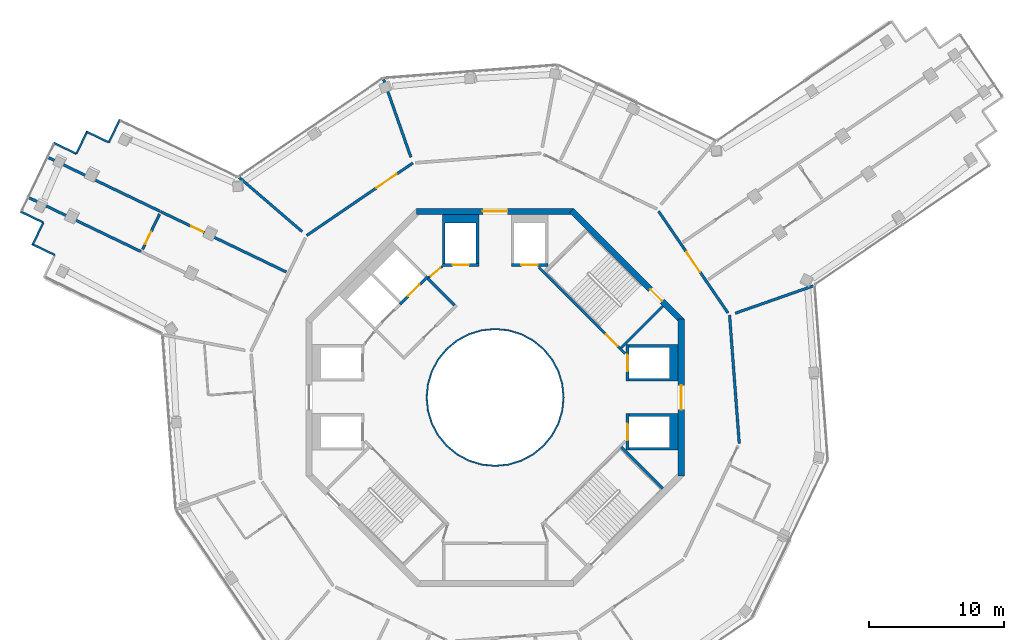
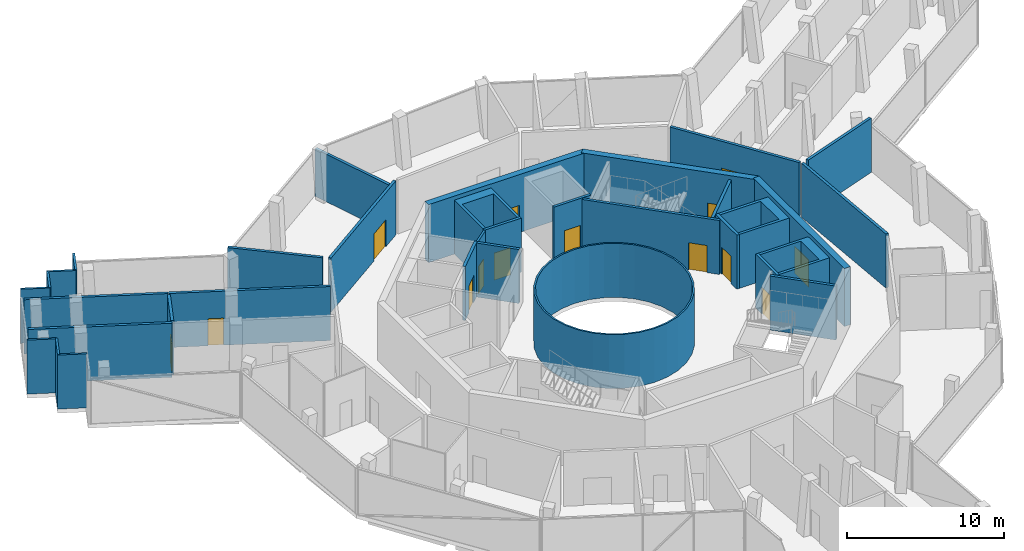
# One storey, part 15 of 19: 34 walls, 14 doors, 14 openings.
"""IFC4 building model written with IfcOpenShell, lengths in metres."""

from ifc_helpers import new_model, si_unit, direction, frame, frame_2d, origin, place, context, subcontext, project, spatial, polyline, rectangle, outline, extrude, material, layer, layer_set, type_object, element, fill, save


model = new_model("IFC4")

# Units and contexts
model_context = context("Model", 3, precision=1e-05, world=origin(), true_north=direction((0.0, 1.0)))
body_context = subcontext(model_context, "Body", "Model", "MODEL_VIEW")
ifc_project = project(units=[si_unit("LENGTHUNIT", "METRE"), si_unit("AREAUNIT", "SQUARE_METRE"), si_unit("VOLUMEUNIT", "CUBIC_METRE"), si_unit("PLANEANGLEUNIT", "RADIAN"), si_unit("MASSUNIT", "GRAM", prefix="KILO")], contexts=[model_context])

# Site, building, storey
site_placement = place(None, origin())
site = spatial("IfcSite", under=ifc_project, at=site_placement, CompositionType="ELEMENT")
building_placement = place(site_placement, origin())
building = spatial("IfcBuilding", under=site, at=building_placement, Name="Verdalira Terraces Hotel", CompositionType="ELEMENT")
storey_placement = place(building_placement, frame((0.0, 0.0, 295.0)))
storey = spatial("IfcBuildingStorey", under=building, at=storey_placement, Name="L73", CompositionType="ELEMENT", Elevation=295.0)

# Walls
ifc_material_1 = material(Name="Fire-resisting glass EI 180", Category="glass")
ifc_layer_1 = layer(ifc_material_1, 0.1201171875)
ifc_layer_set_1 = layer_set([ifc_layer_1], Name="Atrium fire screen 120 mm")
wall_type_1 = type_object("IfcWallType", Name="Atrium fire screen 120 mm", PredefinedType="SOLIDWALL", material=ifc_layer_set_1)
wall_1_placement = place(storey_placement, origin())
element("IfcWall", 1, at=wall_1_placement, inside=storey, type_object=wall_type_1, Name="Atrium fire screen", PredefinedType="SOLIDWALL", context=body_context, shape_type="SweptSolid", body=[
    extrude(outline(polyline([(5.021484, -0.998779), (4.730225, -1.959229), (4.25708, -2.844482), (3.620361, -3.620361), (2.844482, -4.25708), (1.959229, -4.730225), (0.998779, -5.021484), (0.0, -5.120117), (-0.998779, -5.021484), (-1.959229, -4.730225), (-2.844482, -4.25708), (-3.620361, -3.620361), (-4.25708, -2.844482), (-4.730225, -1.959229), (-5.021484, -0.998779), (-5.120117, 0.0), (-5.021484, 0.998779), (-4.730225, 1.959229), (-4.25708, 2.844482), (-3.620361, 3.620361), (-2.844482, 4.25708), (-1.959229, 4.730225), (-0.998779, 5.021484), (0.0, 5.120117), (0.998779, 5.021484), (1.959229, 4.730225), (2.844482, 4.25708), (3.620361, 3.620361), (4.25708, 2.844482), (4.730225, 1.959229), (5.021484, 0.998779), (5.120117, 0.0), (5.021484, -0.998779)]), holes=[polyline([(4.903809, 0.975586), (4.619385, 1.91333), (4.157227, 2.777832), (3.5354, 3.5354), (2.777832, 4.157227), (1.91333, 4.619385), (0.975586, 4.903809), (0.0, 5.0), (-0.975586, 4.903809), (-1.91333, 4.619385), (-2.777832, 4.157227), (-3.5354, 3.5354), (-4.157227, 2.777832), (-4.619385, 1.91333), (-4.903809, 0.975586), (-5.0, 0.0), (-4.903809, -0.975586), (-4.619385, -1.91333), (-4.157227, -2.777832), (-3.5354, -3.5354), (-2.777832, -4.157227), (-1.91333, -4.619385), (-0.975586, -4.903809), (0.0, -5.0), (0.975586, -4.903809), (1.91333, -4.619385), (2.777832, -4.157227), (3.5354, -3.5354), (4.157227, -2.777832), (4.619385, -1.91333), (4.903809, -0.975586), (5.0, 0.0), (4.903809, 0.975586)])]), origin(), (0.0, 0.0, 1.0), 4.189941),
])
ifc_material_2 = material(Name="Concrete C50", Category="concrete")
ifc_layer_2 = layer(ifc_material_2, 0.199951171875)
ifc_layer_set_2 = layer_set([ifc_layer_2], Name="Core RC wall 200 C50")
wall_type_2 = type_object("IfcWallType", Name="Core RC wall 200 C50", PredefinedType="SOLIDWALL", material=ifc_layer_set_2)
wall_2_placement = place(storey_placement, origin())
element("IfcWall", 2, at=wall_2_placement, inside=storey, type_object=wall_type_2, Name="L73 shaft wall E1", PredefinedType="SOLIDWALL", context=body_context, shape_type="SweptSolid", body=[
    extrude(outline(polyline([(13.550049, -3.899902), (9.899902, -3.899902), (9.899902, -3.699951), (12.899902, -3.699951), (12.899902, -1.399902), (9.899902, -1.399902), (9.899902, -1.199951), (13.550049, -1.199951), (13.550049, -3.899902)])), origin(), (0.0, 0.0, 1.0), 4.189941),
])

# Wall, opening, door
wall_3_placement = place(storey_placement, frame((9.800049, -1.199951, 0.0), z_axis=(0.0, 0.0, 1.0), x_axis=(0.0, -1.0, 0.0)))
wall_3 = element("IfcWall", 3, at=wall_3_placement, inside=storey, type_object=wall_type_2, Name="L73 shaft front wall E1", PredefinedType="SOLIDWALL", context=body_context, shape_type="SweptSolid", body=[
    extrude(rectangle(XDim=2.699951, YDim=0.199951, at=frame_2d((1.350098, 0.0))), origin(), (0.0, 0.0, 1.0), 4.189941),
])
opening_1_placement = place(wall_3_placement, frame((0.75, 0.0, 0.0)))
opening_1 = element("IfcOpeningElement", 4, at=opening_1_placement, cuts=wall_3, Name="Opening LD-L73-802", PredefinedType="OPENING", context=body_context, shape_type="SweptSolid", body=[
    extrude(rectangle(XDim=1.199951, YDim=2.100098, at=frame_2d((0.600098, 1.050049))), frame((0.0, 0.109863, 0.0), z_axis=(0.0, -1.0, 0.0), x_axis=(1.0, 0.0, 0.0)), (0.0, 0.0, 1.0), 0.219971),
])
ifc_material_3 = material(Name="Stainless steel", Category="steel")
door_type_1 = type_object("IfcDoorType", Name="Landing door 1200 x 2100", OperationType="NOTDEFINED", PredefinedType="DOOR", material=ifc_material_3)
door_1_placement = place(opening_1_placement, origin())
door_1 = element("IfcDoor", 5, at=door_1_placement, inside=storey, type_object=door_type_1, Name="Lift landing door HR1 L73", OperationType="DOUBLE_DOOR_SLIDING", OverallHeight=2.10009765625, OverallWidth=1.199951171875, PredefinedType="DOOR", context=body_context, shape_type="SweptSolid", body=[
    extrude(rectangle(XDim=1.199951, YDim=2.100098, at=frame_2d((0.600098, 1.050049))), frame((0.0, 0.024902, 0.0), z_axis=(0.0, -1.0, 0.0), x_axis=(1.0, 0.0, 0.0)), (0.0, 0.0, 1.0), 0.050049),
])
fill(opening_1, door_1)

# Wall
wall_4_placement = place(storey_placement, origin())
element("IfcWall", 6, at=wall_4_placement, inside=storey, type_object=wall_type_2, Name="L73 shaft wall E2", PredefinedType="SOLIDWALL", context=body_context, shape_type="SweptSolid", body=[
    extrude(outline(polyline([(13.550049, 3.899902), (13.550049, 1.199951), (9.899902, 1.199951), (9.899902, 1.399902), (12.899902, 1.399902), (12.899902, 3.699951), (9.899902, 3.699951), (9.899902, 3.899902), (13.550049, 3.899902)])), origin(), (0.0, 0.0, 1.0), 4.189941),
])

# Wall, opening, door
wall_5_placement = place(storey_placement, frame((9.800049, 1.199951, 0.0), z_axis=(0.0, 0.0, 1.0), x_axis=(0.0, 1.0, 0.0)))
wall_5 = element("IfcWall", 7, at=wall_5_placement, inside=storey, type_object=wall_type_2, Name="L73 shaft front wall E2", PredefinedType="SOLIDWALL", context=body_context, shape_type="SweptSolid", body=[
    extrude(rectangle(XDim=2.699951, YDim=0.199951, at=frame_2d((1.350098, 0.0))), origin(), (0.0, 0.0, 1.0), 4.189941),
])
opening_2_placement = place(wall_5_placement, frame((0.75, 0.0, 0.0)))
opening_2 = element("IfcOpeningElement", 8, at=opening_2_placement, cuts=wall_5, Name="Opening LD-L73-803", PredefinedType="OPENING", context=body_context, shape_type="SweptSolid", body=[
    extrude(rectangle(XDim=1.199951, YDim=2.100098, at=frame_2d((0.600098, 1.050049))), frame((0.0, 0.109863, 0.0), z_axis=(0.0, -1.0, 0.0), x_axis=(1.0, 0.0, 0.0)), (0.0, 0.0, 1.0), 0.219971),
])
door_2_placement = place(opening_2_placement, origin())
door_2 = element("IfcDoor", 9, at=door_2_placement, inside=storey, type_object=door_type_1, Name="Lift landing door HR2 L73", OperationType="DOUBLE_DOOR_SLIDING", OverallHeight=2.10009765625, OverallWidth=1.199951171875, PredefinedType="DOOR", context=body_context, shape_type="SweptSolid", body=[
    extrude(rectangle(XDim=1.199951, YDim=2.100098, at=frame_2d((0.600098, 1.050049))), frame((0.0, 0.024902, 0.0), z_axis=(0.0, -1.0, 0.0), x_axis=(1.0, 0.0, 0.0)), (0.0, 0.0, 1.0), 0.050049),
])
fill(opening_2, door_2)

wall_6_placement = place(storey_placement, frame((1.199951, 9.800049, 0.0), z_axis=(0.0, 0.0, 1.0), x_axis=(1.0, 0.0, 0.0)))
wall_6 = element("IfcWall", 10, at=wall_6_placement, inside=storey, type_object=wall_type_2, Name="L73 shaft front wall N1", PredefinedType="SOLIDWALL", context=body_context, shape_type="SweptSolid", body=[
    extrude(rectangle(XDim=2.699951, YDim=0.199951, at=frame_2d((1.350098, 0.0))), origin(), (0.0, 0.0, 1.0), 4.189941),
])
opening_3_placement = place(wall_6_placement, frame((0.75, 0.0, 0.0)))
opening_3 = element("IfcOpeningElement", 11, at=opening_3_placement, cuts=wall_6, Name="Opening LD-L73-804", PredefinedType="OPENING", context=body_context, shape_type="SweptSolid", body=[
    extrude(rectangle(XDim=1.199951, YDim=2.100098, at=frame_2d((0.600098, 1.050049))), frame((0.0, 0.109863, 0.0), z_axis=(0.0, -1.0, 0.0), x_axis=(1.0, 0.0, 0.0)), (0.0, 0.0, 1.0), 0.219971),
])
door_3_placement = place(opening_3_placement, origin())
door_3 = element("IfcDoor", 12, at=door_3_placement, inside=storey, type_object=door_type_1, Name="Lift landing door HR3 L73", OperationType="DOUBLE_DOOR_SLIDING", OverallHeight=2.10009765625, OverallWidth=1.199951171875, PredefinedType="DOOR", context=body_context, shape_type="SweptSolid", body=[
    extrude(rectangle(XDim=1.199951, YDim=2.100098, at=frame_2d((0.600098, 1.050049))), frame((0.0, 0.024902, 0.0), z_axis=(0.0, -1.0, 0.0), x_axis=(1.0, 0.0, 0.0)), (0.0, 0.0, 1.0), 0.050049),
])
fill(opening_3, door_3)

# Wall
wall_7_placement = place(storey_placement, origin())
element("IfcWall", 13, at=wall_7_placement, inside=storey, type_object=wall_type_2, Name="L73 shaft wall N2", PredefinedType="SOLIDWALL", context=body_context, shape_type="SweptSolid", body=[
    extrude(outline(polyline([(-3.899902, 13.550049), (-1.199951, 13.550049), (-1.199951, 9.899902), (-1.399902, 9.899902), (-1.399902, 12.899902), (-3.699951, 12.899902), (-3.699951, 9.899902), (-3.899902, 9.899902), (-3.899902, 13.550049)])), origin(), (0.0, 0.0, 1.0), 4.189941),
])

# Wall, opening, door
wall_8_placement = place(storey_placement, frame((-1.199951, 9.800049, 0.0), z_axis=(0.0, 0.0, 1.0), x_axis=(-1.0, 0.0, 0.0)))
wall_8 = element("IfcWall", 14, at=wall_8_placement, inside=storey, type_object=wall_type_2, Name="L73 shaft front wall N2", PredefinedType="SOLIDWALL", context=body_context, shape_type="SweptSolid", body=[
    extrude(rectangle(XDim=2.699951, YDim=0.199951, at=frame_2d((1.350098, 0.0))), origin(), (0.0, 0.0, 1.0), 4.189941),
])
opening_4_placement = place(wall_8_placement, frame((0.75, 0.0, 0.0)))
opening_4 = element("IfcOpeningElement", 15, at=opening_4_placement, cuts=wall_8, Name="Opening LD-L73-805", PredefinedType="OPENING", context=body_context, shape_type="SweptSolid", body=[
    extrude(rectangle(XDim=1.199951, YDim=2.100098, at=frame_2d((0.600098, 1.050049))), frame((0.0, 0.109863, 0.0), z_axis=(0.0, -1.0, 0.0), x_axis=(1.0, 0.0, 0.0)), (0.0, 0.0, 1.0), 0.219971),
])
door_4_placement = place(opening_4_placement, origin())
door_4 = element("IfcDoor", 16, at=door_4_placement, inside=storey, type_object=door_type_1, Name="Lift landing door HR4 L73", OperationType="DOUBLE_DOOR_SLIDING", OverallHeight=2.10009765625, OverallWidth=1.199951171875, PredefinedType="DOOR", context=body_context, shape_type="SweptSolid", body=[
    extrude(rectangle(XDim=1.199951, YDim=2.100098, at=frame_2d((0.600098, 1.050049))), frame((0.0, 0.024902, 0.0), z_axis=(0.0, -1.0, 0.0), x_axis=(1.0, 0.0, 0.0)), (0.0, 0.0, 1.0), 0.050049),
])
fill(opening_4, door_4)

wall_9_placement = place(storey_placement, frame((-4.985107, 8.944824, 0.0), z_axis=(0.0, 0.0, 1.0), x_axis=(-0.707106781, -0.707106781, 0.0)))
wall_9 = element("IfcWall", 17, at=wall_9_placement, inside=storey, type_object=wall_type_2, Name="L73 shaft front wall F1", PredefinedType="SOLIDWALL", context=body_context, shape_type="SweptSolid", body=[
    extrude(rectangle(XDim=2.899902, YDim=0.199951, at=frame_2d((1.449951, 0.0))), origin(), (0.0, 0.0, 1.0), 4.189941),
])
opening_5_placement = place(wall_9_placement, frame((0.850098, 0.0, 0.0)))
opening_5 = element("IfcOpeningElement", 18, at=opening_5_placement, cuts=wall_9, Name="Opening LD-L73-808", PredefinedType="OPENING", context=body_context, shape_type="SweptSolid", body=[
    extrude(rectangle(XDim=1.199951, YDim=2.100098, at=frame_2d((0.600098, 1.050049))), frame((0.0, 0.109863, 0.0), z_axis=(0.0, -1.0, 0.0), x_axis=(1.0, 0.0, 0.0)), (0.0, 0.0, 1.0), 0.219971),
])
door_5_placement = place(opening_5_placement, origin())
door_5 = element("IfcDoor", 19, at=door_5_placement, inside=storey, type_object=door_type_1, Name="Lift landing door LF11 L73", OperationType="DOUBLE_DOOR_SLIDING", OverallHeight=2.10009765625, OverallWidth=1.199951171875, PredefinedType="DOOR", context=body_context, shape_type="SweptSolid", body=[
    extrude(rectangle(XDim=1.199951, YDim=2.100098, at=frame_2d((0.600098, 1.050049))), frame((0.0, 0.024902, 0.0), z_axis=(0.0, -1.0, 0.0), x_axis=(1.0, 0.0, 0.0)), (0.0, 0.0, 1.0), 0.050049),
])
fill(opening_5, door_5)

wall_10_placement = place(storey_placement, frame((3.23999, 9.629395, 0.0), z_axis=(0.0, 0.0, 1.0), x_axis=(0.707106781, -0.707106781, 0.0)))
wall_10 = element("IfcWall", 20, at=wall_10_placement, inside=storey, type_object=wall_type_2, Name="L73 stair ST1 front wall", PredefinedType="SOLIDWALL", context=body_context, shape_type="SweptSolid", body=[
    extrude(rectangle(XDim=9.035889, YDim=0.199951, at=frame_2d((4.518066, 0.0))), origin(), (0.0, 0.0, 1.0), 4.189941),
])
opening_6_placement = place(wall_10_placement, frame((7.017822, 0.0, 0.0)))
opening_6 = element("IfcOpeningElement", 21, at=opening_6_placement, cuts=wall_10, Name="Opening L73-810", PredefinedType="OPENING", context=body_context, shape_type="SweptSolid", body=[
    extrude(rectangle(XDim=1.199951, YDim=2.100098, at=frame_2d((0.600098, 1.050049))), frame((0.0, 0.109863, 0.0), z_axis=(0.0, -1.0, 0.0), x_axis=(1.0, 0.0, 0.0)), (0.0, 0.0, 1.0), 0.219971),
])
ifc_material_4 = material(Name="Steel fire door", Category="steel")
door_type_2 = type_object("IfcDoorType", Name="Stair door 1200 x 2100", OperationType="NOTDEFINED", PredefinedType="DOOR", material=ifc_material_4)
door_6_placement = place(opening_6_placement, origin())
door_6 = element("IfcDoor", 22, at=door_6_placement, inside=storey, type_object=door_type_2, Name="Stair door ST1 L73", OperationType="SINGLE_SWING_RIGHT", OverallHeight=2.10009765625, OverallWidth=1.199951171875, PredefinedType="DOOR", context=body_context, shape_type="SweptSolid", body=[
    extrude(rectangle(XDim=1.199951, YDim=2.100098, at=frame_2d((0.600098, 1.050049))), frame((0.0, 0.024902, 0.0), z_axis=(0.0, -1.0, 0.0), x_axis=(1.0, 0.0, 0.0)), (0.0, 0.0, 1.0), 0.050049),
])
fill(opening_6, door_6)

# Walls
for number, where, z_axis, x_axis, name in (
    (23, (9.33374, 3.677002, 0.0), (0.0, 0.0, 1.0), (0.707106781, 0.707106781, 0.0), "L73 stair ST1 end wall 1"),
    (24, (9.33374, -3.677002, 0.0), (0.0, 0.0, 1.0), (0.707106781, -0.707106781, 0.0), "L73 stair ST3 end wall 2"),
):
    element("IfcWall", number, at=place(storey_placement, frame(where, z_axis=z_axis, x_axis=x_axis)), inside=storey, type_object=wall_type_2, Name=name, PredefinedType="SOLIDWALL", context=body_context, shape_type="SweptSolid", body=[
        extrude(rectangle(XDim=4.350098, YDim=0.199951, at=frame_2d((2.175049, 0.0))), origin(), (0.0, 0.0, 1.0), 4.189941),
    ])
wall_11_placement = place(storey_placement, frame((-3.005127, 6.823486, 0.0), z_axis=(0.0, 0.0, 1.0), x_axis=(-0.707106781, 0.707106781, 0.0)))
element("IfcWall", 25, at=wall_11_placement, inside=storey, type_object=wall_type_2, Name="L73 fire lobby wall", PredefinedType="SOLIDWALL", context=body_context, shape_type="SweptSolid", body=[
    extrude(rectangle(XDim=2.800049, YDim=0.199951, at=frame_2d((1.399902, 0.0))), origin(), (0.0, 0.0, 1.0), 4.189941),
])

# Wall, opening, door
ifc_material_5 = material(Name="Gypsum board partition")
ifc_layer_3 = layer(ifc_material_5, 0.14990234375)
ifc_layer_set_3 = layer_set([ifc_layer_3], Name="Core partition 150 mm")
wall_type_3 = type_object("IfcWallType", Name="Core partition 150 mm", PredefinedType="PARTITIONING", material=ifc_layer_set_3)
wall_12_placement = place(storey_placement, frame((-3.899902, 9.699951, 0.0), z_axis=(0.0, 0.0, 1.0), x_axis=(-0.775559878, -0.631274009, 0.0)))
wall_12 = element("IfcWall", 26, at=wall_12_placement, inside=storey, type_object=wall_type_3, Name="Room partition L73", PredefinedType="PARTITIONING", context=body_context, shape_type="SweptSolid", body=[
    extrude(rectangle(XDim=1.307861, YDim=0.149902, at=frame_2d((0.653809, 0.0))), origin(), (0.0, 0.0, 1.0), 4.189941),
])
opening_7_placement = place(wall_12_placement, frame((0.204102, 0.0, 0.0)))
opening_7 = element("IfcOpeningElement", 27, at=opening_7_placement, cuts=wall_12, Name="Opening L73-820", PredefinedType="OPENING", context=body_context, shape_type="SweptSolid", body=[
    extrude(rectangle(XDim=0.899902, YDim=2.100098, at=frame_2d((0.449951, 1.050049))), frame((0.0, 0.084961, 0.0), z_axis=(0.0, -1.0, 0.0), x_axis=(1.0, 0.0, 0.0)), (0.0, 0.0, 1.0), 0.169922),
])
ifc_material_6 = material(Name="Steel fire door", Category="steel")
door_type_3 = type_object("IfcDoorType", Name="Core room door 900 x 2100", OperationType="NOTDEFINED", PredefinedType="DOOR", material=ifc_material_6)
door_7_placement = place(opening_7_placement, origin())
door_7 = element("IfcDoor", 28, at=door_7_placement, inside=storey, type_object=door_type_3, Name="Door L73 room2", OperationType="SINGLE_SWING_LEFT", OverallHeight=2.10009765625, OverallWidth=0.89990234375, PredefinedType="DOOR", context=body_context, shape_type="SweptSolid", body=[
    extrude(rectangle(XDim=0.899902, YDim=2.100098, at=frame_2d((0.449951, 1.050049))), frame((0.0, 0.024902, 0.0), z_axis=(0.0, -1.0, 0.0), x_axis=(1.0, 0.0, 0.0)), (0.0, 0.0, 1.0), 0.050049),
])
fill(opening_7, door_7)

ifc_material_7 = material(Name="Concrete C50", Category="concrete")
ifc_layer_4 = layer(ifc_material_7, 0.449951171875)
ifc_layer_set_4 = layer_set([ifc_layer_4], Name="Core wall 450 C50")
wall_type_4 = type_object("IfcWallType", Name="Core wall 450 C50", PredefinedType="SHEAR", material=ifc_layer_set_4)
wall_13_placement = place(storey_placement, frame((13.774902, -5.799072, 0.0), z_axis=(0.0, 0.0, 1.0), x_axis=(0.0, 1.0, 0.0)))
wall_13 = element("IfcWall", 29, at=wall_13_placement, inside=storey, type_object=wall_type_4, Name="Core wall CW-L73-1", PredefinedType="SHEAR", context=body_context, shape_type="SweptSolid", body=[
    extrude(rectangle(XDim=11.598145, YDim=0.449951, at=frame_2d((5.799072, 0.0))), origin(), (0.0, 0.0, 1.0), 4.5),
])
opening_8_placement = place(wall_13_placement, frame((4.898926, 0.0, 0.0)))
opening_8 = element("IfcOpeningElement", 30, at=opening_8_placement, cuts=wall_13, Name="Opening L73-813", PredefinedType="OPENING", context=body_context, shape_type="SweptSolid", body=[
    extrude(rectangle(XDim=1.800049, YDim=2.100098, at=frame_2d((0.899902, 1.050049))), frame((0.0, 0.234863, 0.0), z_axis=(0.0, -1.0, 0.0), x_axis=(1.0, 0.0, 0.0)), (0.0, 0.0, 1.0), 0.469971),
])
ifc_material_8 = material(Name="Steel fire door", Category="steel")
door_type_4 = type_object("IfcDoorType", Name="Core entry door pair 1800 x 2100", OperationType="NOTDEFINED", PredefinedType="DOOR", material=ifc_material_8)
door_8_placement = place(opening_8_placement, origin())
door_8 = element("IfcDoor", 31, at=door_8_placement, inside=storey, type_object=door_type_4, Name="Core entry door L73 0", OperationType="DOUBLE_DOOR_SINGLE_SWING", OverallHeight=2.10009765625, OverallWidth=1.800048828125, PredefinedType="DOOR", context=body_context, shape_type="SweptSolid", body=[
    extrude(rectangle(XDim=1.800049, YDim=2.100098, at=frame_2d((0.899902, 1.050049))), frame((0.0, 0.024902, 0.0), z_axis=(0.0, -1.0, 0.0), x_axis=(1.0, 0.0, 0.0)), (0.0, 0.0, 1.0), 0.050049),
])
fill(opening_8, door_8)

wall_14_placement = place(storey_placement, frame((13.84082, 5.639893, 0.0), z_axis=(0.0, 0.0, 1.0), x_axis=(-0.707106781, 0.707106781, 0.0)))
wall_14 = element("IfcWall", 32, at=wall_14_placement, inside=storey, type_object=wall_type_4, Name="Core wall CW-L73-2", PredefinedType="SHEAR", context=body_context, shape_type="SweptSolid", body=[
    extrude(rectangle(XDim=11.5979, YDim=0.449951, at=frame_2d((5.798828, 0.0))), origin(), (0.0, 0.0, 1.0), 4.5),
])
opening_9_placement = place(wall_14_placement, frame((2.099121, 0.0, 0.0)))
opening_9 = element("IfcOpeningElement", 33, at=opening_9_placement, cuts=wall_14, Name="Opening L73-816", PredefinedType="OPENING", context=body_context, shape_type="SweptSolid", body=[
    extrude(rectangle(XDim=1.199951, YDim=2.100098, at=frame_2d((0.600098, 1.050049))), frame((0.0, 0.234863, 0.0), z_axis=(0.0, -1.0, 0.0), x_axis=(1.0, 0.0, 0.0)), (0.0, 0.0, 1.0), 0.469971),
])
door_9_placement = place(opening_9_placement, origin())
door_9 = element("IfcDoor", 34, at=door_9_placement, inside=storey, type_object=door_type_2, Name="Stair exit door ST1 L73", OperationType="SINGLE_SWING_LEFT", OverallHeight=2.10009765625, OverallWidth=1.199951171875, PredefinedType="DOOR", context=body_context, shape_type="SweptSolid", body=[
    extrude(rectangle(XDim=1.199951, YDim=2.100098, at=frame_2d((0.600098, 1.050049))), frame((0.0, 0.024902, 0.0), z_axis=(0.0, -1.0, 0.0), x_axis=(1.0, 0.0, 0.0)), (0.0, 0.0, 1.0), 0.050049),
])
fill(opening_9, door_9)

wall_15_placement = place(storey_placement, frame((5.799072, 13.774902, 0.0), z_axis=(0.0, 0.0, 1.0), x_axis=(-1.0, 0.0, 0.0)))
wall_15 = element("IfcWall", 35, at=wall_15_placement, inside=storey, type_object=wall_type_4, Name="Core wall CW-L73-3", PredefinedType="SHEAR", context=body_context, shape_type="SweptSolid", body=[
    extrude(rectangle(XDim=11.598145, YDim=0.449951, at=frame_2d((5.799072, 0.0))), origin(), (0.0, 0.0, 1.0), 4.5),
])
opening_10_placement = place(wall_15_placement, frame((4.898926, 0.0, 0.0)))
opening_10 = element("IfcOpeningElement", 36, at=opening_10_placement, cuts=wall_15, Name="Opening L73-814", PredefinedType="OPENING", context=body_context, shape_type="SweptSolid", body=[
    extrude(rectangle(XDim=1.800049, YDim=2.100098, at=frame_2d((0.899902, 1.050049))), frame((0.0, 0.234863, 0.0), z_axis=(0.0, -1.0, 0.0), x_axis=(1.0, 0.0, 0.0)), (0.0, 0.0, 1.0), 0.469971),
])
door_10_placement = place(opening_10_placement, origin())
door_10 = element("IfcDoor", 37, at=door_10_placement, inside=storey, type_object=door_type_4, Name="Core entry door L73 2", OperationType="DOUBLE_DOOR_SINGLE_SWING", OverallHeight=2.10009765625, OverallWidth=1.800048828125, PredefinedType="DOOR", context=body_context, shape_type="SweptSolid", body=[
    extrude(rectangle(XDim=1.800049, YDim=2.100098, at=frame_2d((0.899902, 1.050049))), frame((0.0, 0.024902, 0.0), z_axis=(0.0, -1.0, 0.0), x_axis=(1.0, 0.0, 0.0)), (0.0, 0.0, 1.0), 0.050049),
])
fill(opening_10, door_10)

# Walls
ifc_material_9 = material(Name="Fire-rated gypsum board wall")
ifc_layer_5 = layer(ifc_material_9, 0.199951171875)
ifc_layer_set_5 = layer_set([ifc_layer_5], Name="Demising wall 200 mm")
wall_type_5 = type_object("IfcWallType", Name="Demising wall 200 mm", PredefinedType="SOLIDWALL", material=ifc_layer_set_5)
wall_16_placement = place(storey_placement, frame((-34.472168, 14.769287, 0.0), z_axis=(0.0, 0.0, 1.0), x_axis=(0.901228007, -0.433345219, 0.0)))
element("IfcWall", 38, at=wall_16_placement, inside=storey, type_object=wall_type_5, Name="Demising wall", PredefinedType="SOLIDWALL", context=body_context, shape_type="SweptSolid", body=[
    extrude(rectangle(XDim=9.161133, YDim=0.199951, at=frame_2d((4.580566, 0.0))), origin(), (0.0, 0.0, 1.0), 4.189941),
])
wall_17_placement = place(storey_placement, frame((-24.786865, 13.771484, 0.0), z_axis=(0.0, 0.0, 1.0), x_axis=(-0.901233411, 0.433333982, 0.0)))
element("IfcWall", 39, at=wall_17_placement, inside=storey, type_object=wall_type_5, Name="Demising wall", PredefinedType="SOLIDWALL", context=body_context, shape_type="SweptSolid", body=[
    extrude(rectangle(XDim=9.160889, YDim=0.199951, at=frame_2d((4.580566, 0.0))), origin(), (0.0, 0.0, 1.0), 4.189941),
])

# Wall, opening, door
wall_18_placement = place(storey_placement, frame((-26.085938, 10.95874, 0.0), z_axis=(0.0, 0.0, 1.0), x_axis=(0.433377341, 0.901212561, 0.0)))
wall_18 = element("IfcWall", 40, at=wall_18_placement, inside=storey, type_object=wall_type_5, Name="Demising wall", PredefinedType="SOLIDWALL", context=body_context, shape_type="SweptSolid", body=[
    extrude(rectangle(XDim=2.897949, YDim=0.199951, at=frame_2d((1.448975, 0.0))), origin(), (0.0, 0.0, 1.0), 4.189941),
])
opening_11_placement = place(wall_18_placement, frame((0.449951, 0.0, 0.0)))
opening_11 = element("IfcOpeningElement", 41, at=opening_11_placement, cuts=wall_18, Name="Opening L73-104", PredefinedType="OPENING", context=body_context, shape_type="SweptSolid", body=[
    extrude(rectangle(XDim=1.0, YDim=2.100098, at=frame_2d((0.5, 1.050049))), frame((0.0, 0.109863, 0.0), z_axis=(0.0, -1.0, 0.0), x_axis=(1.0, 0.0, 0.0)), (0.0, 0.0, 1.0), 0.219971),
])
ifc_material_10 = material(Name="Timber fire door", Category="wood")
door_type_5 = type_object("IfcDoorType", Name="Public room door 1000 x 2100", OperationType="NOTDEFINED", PredefinedType="DOOR", material=ifc_material_10)
door_11_placement = place(opening_11_placement, origin())
door_11 = element("IfcDoor", 42, at=door_11_placement, inside=storey, type_object=door_type_5, Name="Public room door 7301", OperationType="SINGLE_SWING_LEFT", OverallHeight=2.10009765625, OverallWidth=1.0, PredefinedType="DOOR", context=body_context, shape_type="SweptSolid", body=[
    extrude(rectangle(XDim=1.0, YDim=2.100098, at=frame_2d((0.5, 1.050049))), frame((0.0, 0.024902, 0.0), z_axis=(0.0, -1.0, 0.0), x_axis=(1.0, 0.0, 0.0)), (0.0, 0.0, 1.0), 0.050049),
])
fill(opening_11, door_11)

wall_19_placement = place(storey_placement, frame((-24.745361, 13.751465, 0.0), z_axis=(0.0, 0.0, 1.0), x_axis=(0.901226261, -0.43334885, 0.0)))
wall_19 = element("IfcWall", 43, at=wall_19_placement, inside=storey, type_object=wall_type_5, Name="Demising wall", PredefinedType="SOLIDWALL", context=body_context, shape_type="SweptSolid", body=[
    extrude(rectangle(XDim=10.302002, YDim=0.199951, at=frame_2d((5.150879, 0.0))), origin(), (0.0, 0.0, 1.0), 4.189941),
])
opening_12_placement = place(wall_19_placement, frame((2.5, 0.0, 0.0)))
opening_12 = element("IfcOpeningElement", 44, at=opening_12_placement, cuts=wall_19, Name="Opening L73-102", PredefinedType="OPENING", context=body_context, shape_type="SweptSolid", body=[
    extrude(rectangle(XDim=1.0, YDim=2.100098, at=frame_2d((0.5, 1.050049))), frame((0.0, 0.109863, 0.0), z_axis=(0.0, -1.0, 0.0), x_axis=(1.0, 0.0, 0.0)), (0.0, 0.0, 1.0), 0.219971),
])
door_12_placement = place(opening_12_placement, origin())
door_12 = element("IfcDoor", 45, at=door_12_placement, inside=storey, type_object=door_type_5, Name="Public room door 7301", OperationType="SINGLE_SWING_LEFT", OverallHeight=2.10009765625, OverallWidth=1.0, PredefinedType="DOOR", context=body_context, shape_type="SweptSolid", body=[
    extrude(rectangle(XDim=1.0, YDim=2.100098, at=frame_2d((0.5, 1.050049))), frame((0.0, 0.024902, 0.0), z_axis=(0.0, -1.0, 0.0), x_axis=(1.0, 0.0, 0.0)), (0.0, 0.0, 1.0), 0.050049),
])
fill(opening_12, door_12)

# Walls
for number, where, z_axis, x_axis, name in (
    (46, (-18.931885, 16.272461, 0.0), (0.0, 0.0, 1.0), (0.75836782, -0.651826856, 0.0), "Demising wall"),
    (47, (23.558105, 8.259277, 0.0), (0.0, 0.0, 1.0), (-0.943680696, -0.330857589, 0.0), "Demising wall"),
):
    element("IfcWall", number, at=place(storey_placement, frame(where, z_axis=z_axis, x_axis=x_axis)), inside=storey, type_object=wall_type_5, Name=name, PredefinedType="SOLIDWALL", context=body_context, shape_type="SweptSolid", body=[
        extrude(rectangle(XDim=6.13208, YDim=0.199951, at=frame_2d((3.065918, 0.0))), origin(), (0.0, 0.0, 1.0), 4.189941),
    ])
ifc_material_11 = material(Name="Fire-rated gypsum board wall")
ifc_layer_6 = layer(ifc_material_11, 0.199951171875)
ifc_layer_set_6 = layer_set([ifc_layer_6], Name="Demising wall 200 mm to beam soffit")
wall_type_6 = type_object("IfcWallType", Name="Demising wall 200 mm to beam soffit", PredefinedType="SOLIDWALL", material=ifc_layer_set_6)
wall_20_placement = place(storey_placement, frame((-6.230469, 17.771484, 0.0), z_axis=(0.0, 0.0, 1.0), x_axis=(-0.330857589, 0.943680696, 0.0)))
element("IfcWall", 48, at=wall_20_placement, inside=storey, type_object=wall_type_6, Name="Demising wall", PredefinedType="SOLIDWALL", context=body_context, shape_type="SweptSolid", body=[
    extrude(rectangle(XDim=6.13208, YDim=0.199951, at=frame_2d((3.065918, 0.0))), origin(), (0.0, 0.0, 1.0), 3.689941),
])

# Wall, opening, door
ifc_material_12 = material(Name="Fire-rated gypsum board wall")
ifc_layer_7 = layer(ifc_material_12, 0.199951171875)
ifc_layer_set_7 = layer_set([ifc_layer_7], Name="Guest corridor wall 200 mm")
wall_type_7 = type_object("IfcWallType", Name="Guest corridor wall 200 mm", PredefinedType="SOLIDWALL", material=ifc_layer_set_7)
wall_21_placement = place(storey_placement, frame((-13.942383, 11.983887, 0.0), z_axis=(0.0, 0.0, 1.0), x_axis=(0.825910244, 0.563801622, 0.0)))
wall_21 = element("IfcWall", 49, at=wall_21_placement, inside=storey, type_object=wall_type_7, Name="Guest corridor wall", PredefinedType="SOLIDWALL", context=body_context, shape_type="SweptSolid", body=[
    extrude(rectangle(XDim=9.516602, YDim=0.199951, at=frame_2d((4.758301, 0.0))), origin(), (0.0, 0.0, 1.0), 4.189941),
])
opening_13_placement = place(wall_21_placement, frame((6.25, 0.0, 0.0)))
opening_13 = element("IfcOpeningElement", 50, at=opening_13_placement, cuts=wall_21, Name="Opening L73-124", PredefinedType="OPENING", context=body_context, shape_type="SweptSolid", body=[
    extrude(rectangle(XDim=1.800049, YDim=2.100098, at=frame_2d((0.899902, 1.050049))), frame((0.0, 0.109863, 0.0), z_axis=(0.0, -1.0, 0.0), x_axis=(1.0, 0.0, 0.0)), (0.0, 0.0, 1.0), 0.219971),
])
ifc_material_13 = material(Name="Timber fire door", Category="wood")
door_type_6 = type_object("IfcDoorType", Name="Public room double door 1800 x 2100", OperationType="NOTDEFINED", PredefinedType="DOOR", material=ifc_material_13)
door_13_placement = place(opening_13_placement, origin())
door_13 = element("IfcDoor", 51, at=door_13_placement, inside=storey, type_object=door_type_6, Name="Public room double door 7311", OperationType="DOUBLE_DOOR_SINGLE_SWING", OverallHeight=2.10009765625, OverallWidth=1.800048828125, PredefinedType="DOOR", context=body_context, shape_type="SweptSolid", body=[
    extrude(rectangle(XDim=1.800049, YDim=2.100098, at=frame_2d((0.899902, 1.050049))), frame((0.0, 0.024902, 0.0), z_axis=(0.0, -1.0, 0.0), x_axis=(1.0, 0.0, 0.0)), (0.0, 0.0, 1.0), 0.050049),
])
fill(opening_13, door_13)

wall_22_placement = place(storey_placement, frame((12.09668, 13.7771, 0.0), z_axis=(0.0, 0.0, 1.0), x_axis=(0.563825338, -0.825894054, 0.0)))
wall_22 = element("IfcWall", 52, at=wall_22_placement, inside=storey, type_object=wall_type_7, Name="Guest corridor wall", PredefinedType="SOLIDWALL", context=body_context, shape_type="SweptSolid", body=[
    extrude(rectangle(XDim=9.116455, YDim=0.199951, at=frame_2d((4.558105, 0.0))), origin(), (0.0, 0.0, 1.0), 4.189941),
])
opening_14_placement = place(wall_22_placement, frame((3.656982, 0.0, 0.0)))
opening_14 = element("IfcOpeningElement", 53, at=opening_14_placement, cuts=wall_22, Name="Opening L73-118", PredefinedType="OPENING", context=body_context, shape_type="SweptSolid", body=[
    extrude(rectangle(XDim=1.800049, YDim=2.100098, at=frame_2d((0.899902, 1.050049))), frame((0.0, 0.109863, 0.0), z_axis=(0.0, -1.0, 0.0), x_axis=(1.0, 0.0, 0.0)), (0.0, 0.0, 1.0), 0.219971),
])
door_14_placement = place(opening_14_placement, origin())
door_14 = element("IfcDoor", 54, at=door_14_placement, inside=storey, type_object=door_type_6, Name="Public room double door 7308", OperationType="DOUBLE_DOOR_SINGLE_SWING", OverallHeight=2.10009765625, OverallWidth=1.800048828125, PredefinedType="DOOR", context=body_context, shape_type="SweptSolid", body=[
    extrude(rectangle(XDim=1.800049, YDim=2.100098, at=frame_2d((0.899902, 1.050049))), frame((0.0, 0.024902, 0.0), z_axis=(0.0, -1.0, 0.0), x_axis=(1.0, 0.0, 0.0)), (0.0, 0.0, 1.0), 0.050049),
])
fill(opening_14, door_14)

# Walls
wall_23_placement = place(storey_placement, frame((18.066406, -3.406494, 0.0), z_axis=(0.0, 0.0, 1.0), x_axis=(-0.075325055, 0.997159032, 0.0)))
element("IfcWall", 55, at=wall_23_placement, inside=storey, type_object=wall_type_7, Name="Guest corridor wall", PredefinedType="SOLIDWALL", context=body_context, shape_type="SweptSolid", body=[
    extrude(rectangle(XDim=9.516113, YDim=0.199951, at=frame_2d((4.758057, 0.0))), origin(), (0.0, 0.0, 1.0), 4.189941),
])
ifc_material_14 = material(Name="Terracotta cladding", Category="masonry")
ifc_layer_8 = layer(ifc_material_14, 0.14990234375)
ifc_layer_set_8 = layer_set([ifc_layer_8], Name="Terracotta clad wall 150")
wall_type_8 = type_object("IfcWallType", Name="Terracotta clad wall 150", PredefinedType="SOLIDWALL", material=ifc_layer_set_8)
wall_24_placement = place(storey_placement, frame((-27.773193, 20.56665, 0.0), z_axis=(0.0, 0.0, 1.0), x_axis=(-0.433357488, -0.901222108, 0.0)))
element("IfcWall", 56, at=wall_24_placement, inside=storey, type_object=wall_type_8, Name="Terracotta cladding wall", PredefinedType="SOLIDWALL", context=body_context, shape_type="SweptSolid", body=[
    extrude(rectangle(XDim=1.875, YDim=0.149902, at=frame_2d((0.9375, 0.0))), origin(), (0.0, 0.0, 1.0), 4.189941),
])
wall_25_placement = place(storey_placement, frame((-28.585693, 18.876953, 0.0), z_axis=(0.0, 0.0, 1.0), x_axis=(-0.901211675, 0.433379184, 0.0)))
element("IfcWall", 57, at=wall_25_placement, inside=storey, type_object=wall_type_8, Name="Terracotta cladding wall", PredefinedType="SOLIDWALL", context=body_context, shape_type="SweptSolid", body=[
    extrude(rectangle(XDim=1.799805, YDim=0.149902, at=frame_2d((0.899902, 0.0))), origin(), (0.0, 0.0, 1.0), 4.189941),
])
for number, where, z_axis, x_axis, name in (
    (58, (-30.175293, 19.724609, 0.0), (0.0, 0.0, 1.0), (-0.433306637, -0.901246558, 0.0), "Terracotta cladding wall"),
    (59, (-30.987793, 18.034668, 0.0), (0.0, 0.0, 1.0), (-0.901246558, 0.433306637, 0.0), "Terracotta cladding wall"),
    (60, (-35.125977, 13.755371, 0.0), (0.0, 0.0, 1.0), (0.901222108, -0.433357488, 0.0), "Terracotta cladding wall"),
):
    element("IfcWall", number, at=place(storey_placement, frame(where, z_axis=z_axis, x_axis=x_axis)), inside=storey, type_object=wall_type_8, Name=name, PredefinedType="SOLIDWALL", context=body_context, shape_type="SweptSolid", body=[
        extrude(rectangle(XDim=1.875, YDim=0.149902, at=frame_2d((0.9375, 0.0))), origin(), (0.0, 0.0, 1.0), 4.189941),
    ])
wall_26_placement = place(storey_placement, frame((-33.436279, 12.942871, 0.0), z_axis=(0.0, 0.0, 1.0), x_axis=(-0.433326212, -0.901237146, 0.0)))
element("IfcWall", 61, at=wall_26_placement, inside=storey, type_object=wall_type_8, Name="Terracotta cladding wall", PredefinedType="SOLIDWALL", context=body_context, shape_type="SweptSolid", body=[
    extrude(rectangle(XDim=1.800049, YDim=0.149902, at=frame_2d((0.899902, 0.0))), origin(), (0.0, 0.0, 1.0), 4.189941),
])
wall_27_placement = place(storey_placement, frame((-34.283936, 11.353027, 0.0), z_axis=(0.0, 0.0, 1.0), x_axis=(0.901246558, -0.433306637, 0.0)))
element("IfcWall", 62, at=wall_27_placement, inside=storey, type_object=wall_type_8, Name="Terracotta cladding wall", PredefinedType="SOLIDWALL", context=body_context, shape_type="SweptSolid", body=[
    extrude(rectangle(XDim=1.875, YDim=0.149902, at=frame_2d((0.9375, 0.0))), origin(), (0.0, 0.0, 1.0), 4.189941),
])

save(model, "model.ifc")
